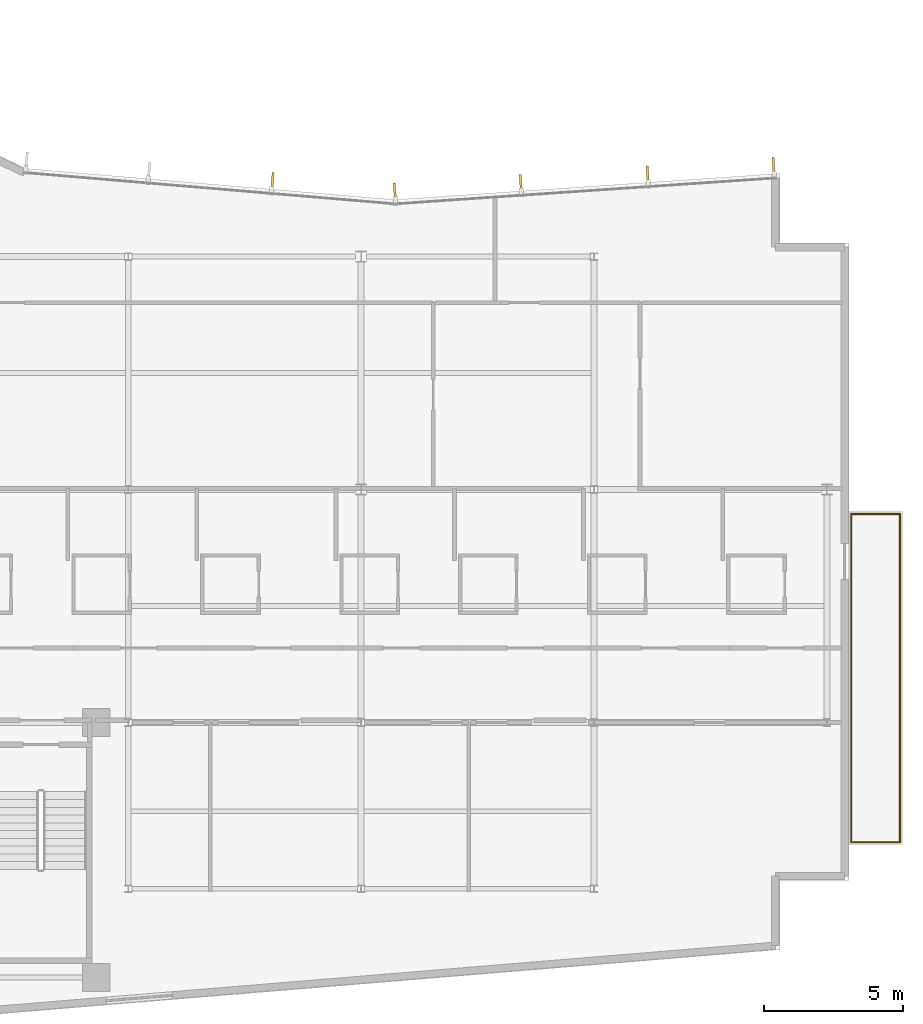
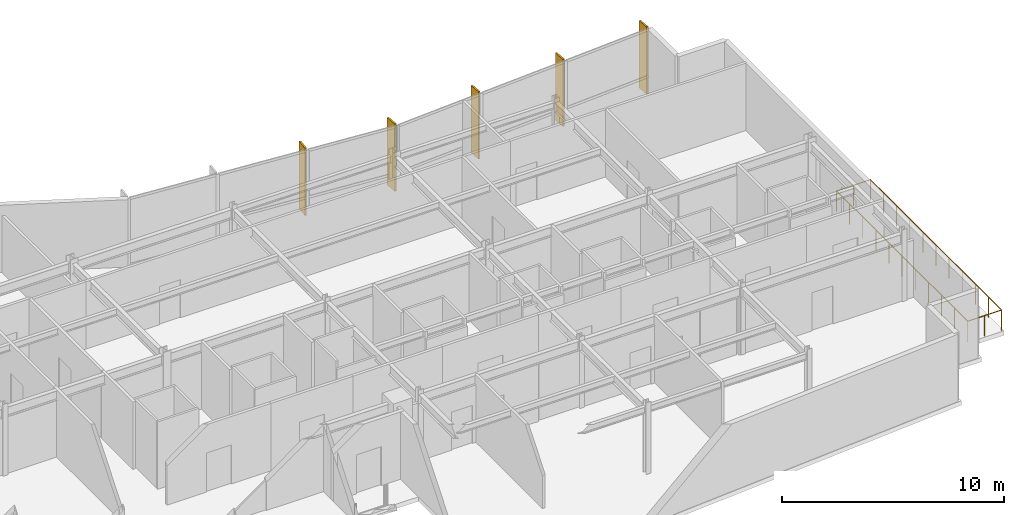
# One storey, part 14 of 15: 5 shading devices, 4 railings.
"""IFC4 building model written with IfcOpenShell, lengths in metres."""

from ifc_helpers import new_model, si_unit, direction, frame, origin, origin_2d, place, context, subcontext, project, spatial, rectangle, circle, extrude, material, layer, layer_set, type_object, element, save


model = new_model("IFC4")

# Units and contexts
model_context = context("Model", 3, precision=1e-05, world=origin(), true_north=direction((0.0, 1.0)))
body_context = subcontext(model_context, "Body", "Model", "MODEL_VIEW")
ifc_project = project(units=[si_unit("LENGTHUNIT", "METRE"), si_unit("AREAUNIT", "SQUARE_METRE"), si_unit("VOLUMEUNIT", "CUBIC_METRE"), si_unit("PLANEANGLEUNIT", "RADIAN"), si_unit("MASSUNIT", "GRAM", prefix="KILO")], contexts=[model_context])

# Site, building, storey
site_placement = place(None, origin())
site = spatial("IfcSite", under=ifc_project, at=site_placement, CompositionType="ELEMENT")
building_placement = place(site_placement, origin())
building = spatial("IfcBuilding", under=site, at=building_placement, Name="Varnakote Quay Hospital", CompositionType="ELEMENT")
storey_placement = place(building_placement, frame((0.0, 0.0, 192.10009765625)))
storey = spatial("IfcBuildingStorey", under=building, at=storey_placement, Name="L47", CompositionType="ELEMENT", Elevation=192.10009765625)

# Railings
ifc_material_1 = material(Name="Anodised aluminium 6063-T6 Bronze", Category="aluminium")
railing_type = type_object("IfcRailingType", Name="RLG-EXT-GUARD-1150", PredefinedType="GUARDRAIL", material=ifc_material_1)
railing_1_placement = place(storey_placement, frame((51.27587890625, 19.52001953125, 0.0)))
element("IfcRailing", 1, at=railing_1_placement, inside=storey, type_object=railing_type, Name="L47 Zigzag Prow Healing Terrace Safety Guard", PredefinedType="GUARDRAIL", context=body_context, shape_type="SweptSolid", body=[
    extrude(circle(Radius=0.02392578125, at=origin_2d()), frame((0.0, 0.0, 1.1259765625), z_axis=(1.0, 0.0, 0.0), x_axis=(0.0, 1.0, 0.0)), (0.0, 0.0, 1.0), 1.76416015625),
    extrude(circle(Radius=0.02099609375, at=origin_2d()), origin(), (0.0, 0.0, 1.0), 1.101806640625),
    extrude(circle(Radius=0.02099609375, at=origin_2d()), frame((0.882080078125, 0.0, 0.0)), (0.0, 0.0, 1.0), 1.101806640625),
    extrude(circle(Radius=0.02099609375, at=origin_2d()), frame((1.76416015625, 0.0, 0.0)), (0.0, 0.0, 1.0), 1.101806640625),
])
railing_2_placement = place(storey_placement, frame((53.0400390625, 19.52001953125, 0.0)))
element("IfcRailing", 2, at=railing_2_placement, inside=storey, type_object=railing_type, Name="L47 Zigzag Prow Healing Terrace Safety Guard", PredefinedType="GUARDRAIL", context=body_context, shape_type="SweptSolid", body=[
    extrude(circle(Radius=0.02392578125, at=origin_2d()), frame((0.0, 0.0, 1.1259765625), z_axis=(0.0, -1.0, 0.0), x_axis=(1.0, 0.0, 0.0)), (0.0, 0.0, 1.0), 11.840087890625),
    extrude(circle(Radius=0.02099609375, at=origin_2d()), origin(), (0.0, 0.0, 1.0), 1.101806640625),
    extrude(circle(Radius=0.02099609375, at=origin_2d()), frame((0.0, -1.18408203125, 0.0)), (0.0, 0.0, 1.0), 1.101806640625),
    extrude(circle(Radius=0.02099609375, at=origin_2d()), frame((0.0, -2.367919921875, 0.0)), (0.0, 0.0, 1.0), 1.101806640625),
    extrude(circle(Radius=0.02099609375, at=origin_2d()), frame((0.0, -3.552001953125, 0.0)), (0.0, 0.0, 1.0), 1.101806640625),
    extrude(circle(Radius=0.02099609375, at=origin_2d()), frame((0.0, -4.736083984375, 0.0)), (0.0, 0.0, 1.0), 1.101806640625),
    extrude(circle(Radius=0.02099609375, at=origin_2d()), frame((0.0, -5.919921875, 0.0)), (0.0, 0.0, 1.0), 1.101806640625),
    extrude(circle(Radius=0.02099609375, at=origin_2d()), frame((0.0, -7.10400390625, 0.0)), (0.0, 0.0, 1.0), 1.101806640625),
    extrude(circle(Radius=0.02099609375, at=origin_2d()), frame((0.0, -8.2880859375, 0.0)), (0.0, 0.0, 1.0), 1.101806640625),
    extrude(circle(Radius=0.02099609375, at=origin_2d()), frame((0.0, -9.47216796875, 0.0)), (0.0, 0.0, 1.0), 1.101806640625),
    extrude(circle(Radius=0.02099609375, at=origin_2d()), frame((0.0, -10.656005859375, 0.0)), (0.0, 0.0, 1.0), 1.101806640625),
    extrude(circle(Radius=0.02099609375, at=origin_2d()), frame((0.0, -11.840087890625, 0.0)), (0.0, 0.0, 1.0), 1.101806640625),
])
railing_3_placement = place(storey_placement, frame((53.0400390625, 7.679931640625, 0.0)))
element("IfcRailing", 3, at=railing_3_placement, inside=storey, type_object=railing_type, Name="L47 Zigzag Prow Healing Terrace Safety Guard", PredefinedType="GUARDRAIL", context=body_context, shape_type="SweptSolid", body=[
    extrude(circle(Radius=0.02392578125, at=origin_2d()), frame((0.0, 0.0, 1.1259765625), z_axis=(-1.0, 0.0, 0.0), x_axis=(0.0, -1.0, 0.0)), (0.0, 0.0, 1.0), 1.76416015625),
    extrude(circle(Radius=0.02099609375, at=origin_2d()), origin(), (0.0, 0.0, 1.0), 1.101806640625),
    extrude(circle(Radius=0.02099609375, at=origin_2d()), frame((-0.882080078125, 0.0, 0.0)), (0.0, 0.0, 1.0), 1.101806640625),
    extrude(circle(Radius=0.02099609375, at=origin_2d()), frame((-1.76416015625, 0.0, 0.0)), (0.0, 0.0, 1.0), 1.101806640625),
])
railing_4_placement = place(storey_placement, frame((51.27587890625, 7.679931640625, 0.0)))
element("IfcRailing", 4, at=railing_4_placement, inside=storey, type_object=railing_type, Name="L47 Zigzag Prow Healing Terrace Safety Guard", PredefinedType="GUARDRAIL", context=body_context, shape_type="SweptSolid", body=[
    extrude(circle(Radius=0.02392578125, at=origin_2d()), frame((0.0, 0.0, 1.1259765625), z_axis=(0.0, 1.0, 0.0), x_axis=(-1.0, 0.0, 0.0)), (0.0, 0.0, 1.0), 11.840087890625),
    extrude(circle(Radius=0.02099609375, at=origin_2d()), origin(), (0.0, 0.0, 1.0), 1.101806640625),
    extrude(circle(Radius=0.02099609375, at=origin_2d()), frame((0.0, 1.18408203125, 0.0)), (0.0, 0.0, 1.0), 1.101806640625),
    extrude(circle(Radius=0.02099609375, at=origin_2d()), frame((0.0, 2.367919921875, 0.0)), (0.0, 0.0, 1.0), 1.101806640625),
    extrude(circle(Radius=0.02099609375, at=origin_2d()), frame((0.0, 3.552001953125, 0.0)), (0.0, 0.0, 1.0), 1.101806640625),
    extrude(circle(Radius=0.02099609375, at=origin_2d()), frame((0.0, 4.736083984375, 0.0)), (0.0, 0.0, 1.0), 1.101806640625),
    extrude(circle(Radius=0.02099609375, at=origin_2d()), frame((0.0, 5.919921875, 0.0)), (0.0, 0.0, 1.0), 1.101806640625),
    extrude(circle(Radius=0.02099609375, at=origin_2d()), frame((0.0, 7.10400390625, 0.0)), (0.0, 0.0, 1.0), 1.101806640625),
    extrude(circle(Radius=0.02099609375, at=origin_2d()), frame((0.0, 8.2880859375, 0.0)), (0.0, 0.0, 1.0), 1.101806640625),
    extrude(circle(Radius=0.02099609375, at=origin_2d()), frame((0.0, 9.47216796875, 0.0)), (0.0, 0.0, 1.0), 1.101806640625),
    extrude(circle(Radius=0.02099609375, at=origin_2d()), frame((0.0, 10.656005859375, 0.0)), (0.0, 0.0, 1.0), 1.101806640625),
    extrude(circle(Radius=0.02099609375, at=origin_2d()), frame((0.0, 11.840087890625, 0.0)), (0.0, 0.0, 1.0), 1.101806640625),
])

# Shading devices
ifc_material_2 = material(Name="Anodised aluminium 6063-T6 Bronze", Category="aluminium")
ifc_layer = layer(ifc_material_2, 0.0849609375)
ifc_layer_set = layer_set([ifc_layer], Name="Anodised aluminium 6063-T6 Bronze")
shading_device_type = type_object("IfcShadingDeviceType", Name="SHD-BRONZE-FIN-620", PredefinedType="USERDEFINED", material=ifc_layer_set)
for number, where, z_axis, x_axis, name in (
    (5, (48.47705078125, 32.07568359375, 0.0), (0.0, 0.0, 1.0), (0.067841160875, -0.997696134548, 0.0), "L47 Anodised Bronze Vertical Shading FIN"),
    (6, (43.934326171875, 31.7666015625, 0.0), (0.0, 0.0, 1.0), (0.067841160875, -0.997696134548, 0.0), "L47 Anodised Bronze Vertical Shading FIN"),
    (7, (39.359375, 31.45556640625, 0.0), (0.0, 0.0, 1.0), (0.067841160875, -0.997696134548, 0.0), "L47 Anodised Bronze Vertical Shading FIN"),
    (8, (34.816650390625, 31.146728515625, 0.0), (0.0, 0.0, 1.0), (0.067841160875, -0.997696134548, 0.0), "L47 Anodised Bronze Vertical Shading FIN"),
    (9, (30.4013671875, 31.519775390625, 0.0), (0.0, 0.0, 1.0), (-0.084199594279, -0.996448909038, 0.0), "L47 Anodised Bronze Vertical Shading FIN"),
):
    element("IfcShadingDevice", number, at=place(storey_placement, frame(where, z_axis=z_axis, x_axis=x_axis)), inside=storey, type_object=shading_device_type, Name=name, ObjectType="FIN", PredefinedType="USERDEFINED", context=body_context, shape_type="SweptSolid", body=[
        extrude(rectangle(XDim=0.6201171875, YDim=0.0849609375, at=origin_2d()), origin(), (0.0, 0.0, 1.0), 3.7099609375),
    ])

save(model, "model.ifc")
